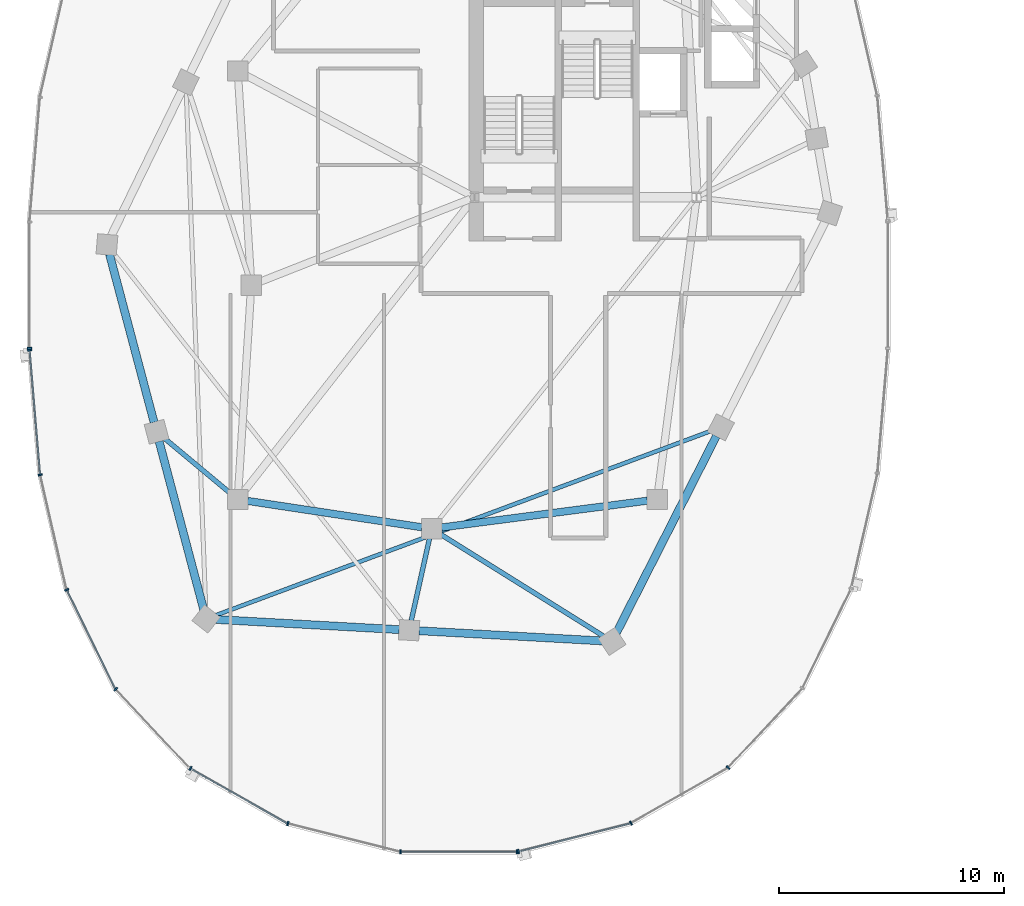
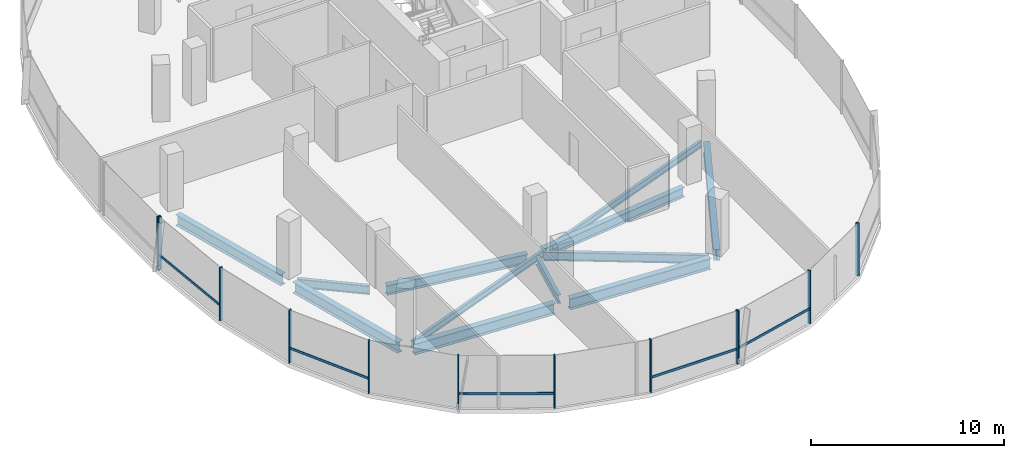
# One storey, part 3 of 25: 17 members, 11 beams, 3 elements without a shape of their own.
"""IFC4 building model written with IfcOpenShell, lengths in metres."""

from ifc_helpers import new_model, si_unit, direction, frame, origin, origin_2d, place, context, subcontext, project, spatial, rectangle, i_section, extrude, material, material_profile, profile_set, type_object, element, aggregate, save


model = new_model("IFC4")

# Units and contexts
model_context = context("Model", 3, precision=1e-05, world=origin(), true_north=direction((0.0, 1.0)))
body_context = subcontext(model_context, "Body", "Model", "MODEL_VIEW")
ifc_project = project(units=[si_unit("LENGTHUNIT", "METRE"), si_unit("AREAUNIT", "SQUARE_METRE"), si_unit("VOLUMEUNIT", "CUBIC_METRE"), si_unit("PLANEANGLEUNIT", "RADIAN"), si_unit("MASSUNIT", "GRAM", prefix="KILO"), si_unit("THERMODYNAMICTEMPERATUREUNIT", "KELVIN"), si_unit("POWERUNIT", "WATT")], contexts=[model_context])

# Site, building, storey
site_placement = place(None, origin())
site = spatial("IfcSite", under=ifc_project, at=site_placement, CompositionType="ELEMENT")
building_placement = place(site_placement, origin())
building = spatial("IfcBuilding", under=site, at=building_placement, Name="Cundina Bronze Exchange", CompositionType="ELEMENT")
storey_placement = place(building_placement, frame((0.0, 0.0, 195.39990234375)))
storey = spatial("IfcBuildingStorey", under=building, at=storey_placement, Name="L51", CompositionType="ELEMENT", Elevation=195.39990234375)

# Beams
ifc_material_1 = material(Name="Steel ASTM A992 Grade 50", Category="steel")
ifc_material_profile_1 = material_profile(ifc_material_1, i_section(OverallWidth=0.2119140625, OverallDepth=0.5439453125, WebThickness=0.01318359375, FlangeThickness=0.021240234375, FilletRadius=0.013916015625, at=origin_2d()), Name="W21X83", Category="steel")
ifc_profile_set_1 = profile_set([ifc_material_profile_1], Name="Steel ASTM A992 Grade 50")
beam_type_1 = type_object("IfcBeamType", Name="BM-FLR-W21A", PredefinedType="BEAM", material=ifc_profile_set_1)
beam_1_placement = place(storey_placement, frame((-42.136474609375, -9.219482421875, -0.531982421875), z_axis=(-0.768247540987, 0.640152884683, 0.0), x_axis=(-0.640152884683, -0.768247540987, 0.0)))
element("IfcBeam", 1, at=beam_1_placement, inside=storey, type_object=beam_type_1, Name="L51 Leg W Radial Floor Beam 09", PredefinedType="BEAM", context=body_context, shape_type="SweptSolid", body=[
    extrude(i_section(OverallWidth=0.2119140625, OverallDepth=0.5439453125, WebThickness=0.01318359375, FlangeThickness=0.021240234375, FilletRadius=0.013916015625, at=origin_2d()), origin(), (0.0, 0.0, 1.0), 3.81005859375),
])
beam_2_placement = place(storey_placement, frame((-33.294921875, -11.2275390625, -0.531982421875), z_axis=(-0.216958151571, -0.976180905605, 0.0), x_axis=(0.976180905605, -0.216958151571, 0.0)))
element("IfcBeam", 2, at=beam_2_placement, inside=storey, type_object=beam_type_1, Name="L51 Leg W Radial Floor Beam 11", PredefinedType="BEAM", context=body_context, shape_type="SweptSolid", body=[
    extrude(i_section(OverallWidth=0.2119140625, OverallDepth=0.5439453125, WebThickness=0.01318359375, FlangeThickness=0.021240234375, FilletRadius=0.013916015625, at=origin_2d()), origin(), (0.0, 0.0, 1.0), 3.733642578125),
])
beam_3_placement = place(storey_placement, frame((-32.82861328125, -11.031982421875, -0.531982421875), z_axis=(0.847995098703, -0.530004068452, 0.0), x_axis=(0.530004068452, 0.847995098703, 0.0)))
element("IfcBeam", 3, at=beam_3_placement, inside=storey, type_object=beam_type_1, Name="L51 Leg W Radial Floor Beam 12", PredefinedType="BEAM", context=body_context, shape_type="SweptSolid", body=[
    extrude(i_section(OverallWidth=0.2119140625, OverallDepth=0.5439453125, WebThickness=0.01318359375, FlangeThickness=0.021240234375, FilletRadius=0.013916015625, at=origin_2d()), origin(), (0.0, 0.0, 1.0), 8.55810546875),
])
ifc_material_profile_2 = material_profile(ifc_material_1, i_section(OverallWidth=0.178955078125, OverallDepth=0.409912109375, WebThickness=0.0087890625, FlangeThickness=0.014404296875, FilletRadius=0.010986328125, at=origin_2d()), Name="W16X45", Category="steel")
ifc_profile_set_2 = profile_set([ifc_material_profile_2], Name="Steel ASTM A992 Grade 50")
beam_type_2 = type_object("IfcBeamType", Name="BM-JST-W16", PredefinedType="JOIST", material=ifc_profile_set_2)
beam_4_placement = place(storey_placement, frame((-42.78955078125, -14.647216796875, -0.46484375), z_axis=(0.937127927239, 0.348986028358, 0.0), x_axis=(-0.348986028358, 0.937127927239, 0.0)))
element("IfcBeam", 4, at=beam_4_placement, inside=storey, type_object=beam_type_2, Name="L51 Leg W Lobe Floor Joist 10-13", PredefinedType="JOIST", context=body_context, shape_type="SweptSolid", body=[
    extrude(i_section(OverallWidth=0.178955078125, OverallDepth=0.409912109375, WebThickness=0.0087890625, FlangeThickness=0.014404296875, FilletRadius=0.010986328125, at=origin_2d()), origin(), (0.0, 0.0, 1.0), 23.48046875),
])
ifc_material_profile_3 = material_profile(ifc_material_1, i_section(OverallWidth=0.324951171875, OverallDepth=0.615966796875, WebThickness=0.013916015625, FlangeThickness=0.021484375, FilletRadius=0.01611328125, at=origin_2d()), Name="W24X117", Category="steel")
ifc_profile_set_3 = profile_set([ifc_material_profile_3], Name="Steel ASTM A992 Grade 50")
beam_type_3 = type_object("IfcBeamType", Name="BM-RING-W24", PredefinedType="USERDEFINED", material=ifc_profile_set_3)
beam_5_placement = place(storey_placement, frame((-41.366943359375, -9.5654296875, -0.56787109375), z_axis=(0.988764903598, -0.149478979839, 0.0), x_axis=(0.149478979839, 0.988764903598, 0.0)))
element("IfcBeam", 5, at=beam_5_placement, inside=storey, type_object=beam_type_3, Name="L51 W Inner Structural Ring Girder 05", ObjectType="GIRDER", PredefinedType="USERDEFINED", context=body_context, shape_type="SweptSolid", body=[
    extrude(i_section(OverallWidth=0.324951171875, OverallDepth=0.615966796875, WebThickness=0.013916015625, FlangeThickness=0.021484375, FilletRadius=0.01611328125, at=origin_2d()), origin(), (0.0, 0.0, 1.0), 7.82177734375),
])
beam_6_placement = place(storey_placement, frame((-32.765625, -10.743408203125, -0.56787109375), z_axis=(0.991656498582, 0.128908451316, 0.0), x_axis=(-0.128908451316, 0.991656498582, 0.0)))
element("IfcBeam", 6, at=beam_6_placement, inside=storey, type_object=beam_type_3, Name="L51 W Inner Structural Ring Girder 06", ObjectType="GIRDER", PredefinedType="USERDEFINED", context=body_context, shape_type="SweptSolid", body=[
    extrude(i_section(OverallWidth=0.324951171875, OverallDepth=0.615966796875, WebThickness=0.013916015625, FlangeThickness=0.021484375, FilletRadius=0.01611328125, at=origin_2d()), origin(), (0.0, 0.0, 1.0), 9.208251953125),
])
ifc_material_profile_4 = material_profile(ifc_material_1, i_section(OverallWidth=0.35498046875, OverallDepth=0.695068359375, WebThickness=0.015380859375, FlangeThickness=0.02490234375, FilletRadius=0.01806640625, at=origin_2d()), Name="W27X146", Category="steel")
ifc_profile_set_4 = profile_set([ifc_material_profile_4], Name="Steel ASTM A992 Grade 50")
beam_type_4 = type_object("IfcBeamType", Name="BM-RING-W27", PredefinedType="USERDEFINED", material=ifc_profile_set_4)
for number, where, z_axis, x_axis, name in (
    (7, (-47.48779296875, 1.376708984375, -0.607421875), (0.256211934474, -0.966620631185, 0.0), (0.966620631185, 0.256211934474, 0.0), "L51 W Perimeter Ring Girder 08"),
    (8, (-45.287841796875, -6.92333984375, -0.607421875), (0.256211934474, -0.966620631185, 0.0), (0.966620631185, 0.256211934474, 0.0), "L51 W Perimeter Ring Girder 09"),
):
    element("IfcBeam", number, at=place(storey_placement, frame(where, z_axis=z_axis, x_axis=x_axis)), inside=storey, type_object=beam_type_4, Name=name, ObjectType="GIRDER", PredefinedType="USERDEFINED", context=body_context, shape_type="SweptSolid", body=[
        extrude(i_section(OverallWidth=0.35498046875, OverallDepth=0.695068359375, WebThickness=0.015380859375, FlangeThickness=0.02490234375, FilletRadius=0.01806640625, at=origin_2d()), origin(), (0.0, 0.0, 1.0), 7.710693359375),
    ])
for number, where, z_axis, x_axis, name in (
    (9, (-42.7626953125, -14.82421875, -0.607421875), (0.998460353205, -0.055470019623, 0.0), (0.055470019623, 0.998460353205, 0.0), "L51 W Perimeter Ring Girder 10"),
    (10, (-33.7626953125, -15.32421875, -0.607421875), (0.998460353205, -0.055470019623, 0.0), (0.055470019623, 0.998460353205, 0.0), "L51 W Perimeter Ring Girder 11"),
):
    element("IfcBeam", number, at=place(storey_placement, frame(where, z_axis=z_axis, x_axis=x_axis)), inside=storey, type_object=beam_type_4, Name=name, ObjectType="GIRDER", PredefinedType="USERDEFINED", context=body_context, shape_type="SweptSolid", body=[
        extrude(i_section(OverallWidth=0.35498046875, OverallDepth=0.695068359375, WebThickness=0.015380859375, FlangeThickness=0.02490234375, FilletRadius=0.01806640625, at=origin_2d()), origin(), (0.0, 0.0, 1.0), 8.137939453125),
    ])
beam_7_placement = place(storey_placement, frame((-25.001708984375, -15.409423828125, -0.607421875), z_axis=(0.452846871434, 0.891588308039, 0.0), x_axis=(-0.891588308039, 0.452846871434, 0.0)))
element("IfcBeam", 11, at=beam_7_placement, inside=storey, type_object=beam_type_4, Name="L51 W Perimeter Ring Girder 12", ObjectType="GIRDER", PredefinedType="USERDEFINED", context=body_context, shape_type="SweptSolid", body=[
    extrude(i_section(OverallWidth=0.35498046875, OverallDepth=0.695068359375, WebThickness=0.015380859375, FlangeThickness=0.02490234375, FilletRadius=0.01806640625, at=origin_2d()), origin(), (0.0, 0.0, 1.0), 9.779052734375),
])

# Curtain wall, member
ifc_material_2 = material(Name="Anodised Bronze Aluminium 6063-T6", Category="aluminium")
curtain_wall_type = type_object("IfcCurtainWallType", Name="CWS-UPP-OFF", PredefinedType="NOTDEFINED", material=ifc_material_2)
curtain_wall_1_placement = place(storey_placement, origin())
curtain_wall_1 = element("IfcCurtainWall", 12, at=curtain_wall_1_placement, inside=storey, type_object=curtain_wall_type, Name="L51 CW-05 Curtain Wall Run CWR-L51-W2", PredefinedType="NOTDEFINED")
ifc_material_profile_5 = material_profile(ifc_material_2, rectangle(XDim=0.070068359375, YDim=0.18994140625, at=origin_2d()), Name="AL70X190", Category="aluminium")
ifc_profile_set_5 = profile_set([ifc_material_profile_5], Name="Anodised Bronze Aluminium 6063-T6")
member_type_1 = type_object("IfcMemberType", Name="CWM-MUL-190", PredefinedType="MULLION", material=ifc_profile_set_5)
member_1_placement = place(storey_placement, frame((-51.033935546875, -2.794921875, 0.0), z_axis=(0.0, 0.0, 1.0), x_axis=(0.0, -1.0, 0.0)))
member_1 = element("IfcMember", 13, at=member_1_placement, type_object=member_type_1, Name="CW-05 End Mullion", PredefinedType="MULLION", context=body_context, shape_type="SweptSolid", body=[
    extrude(rectangle(XDim=0.070068359375, YDim=0.18994140625, at=origin_2d()), origin(), (0.0, 0.0, 1.0), 3.340087890625),
])
aggregate(curtain_wall_1, [member_1])

# Curtain wall, members
curtain_wall_2_placement = place(storey_placement, origin())
curtain_wall_2 = element("IfcCurtainWall", 14, at=curtain_wall_2_placement, inside=storey, type_object=curtain_wall_type, Name="L51 CW-05 Curtain Wall Run CWR-L51-W3", PredefinedType="NOTDEFINED")
member_2_placement = place(storey_placement, frame((-51.0302734375, -2.88330078125, 0.0), z_axis=(0.0, 0.0, 1.0), x_axis=(0.083677843332, -0.99649285925, 0.0)))
member_2 = element("IfcMember", 15, at=member_2_placement, type_object=member_type_1, Name="CW-05 Mullion 1", PredefinedType="MULLION", context=body_context, shape_type="SweptSolid", body=[
    extrude(rectangle(XDim=0.070068359375, YDim=0.18994140625, at=origin_2d()), origin(), (0.0, 0.0, 1.0), 3.340087890625),
])
member_3_placement = place(storey_placement, frame((-50.56005859375, -8.4111328125, 0.0), z_axis=(0.0, 0.0, 1.0), x_axis=(0.223250116011, -0.974761194191, 0.0)))
member_3 = element("IfcMember", 16, at=member_3_placement, type_object=member_type_1, Name="CW-05 Mullion 2", PredefinedType="MULLION", context=body_context, shape_type="SweptSolid", body=[
    extrude(rectangle(XDim=0.070068359375, YDim=0.18994140625, at=origin_2d()), origin(), (0.0, 0.0, 1.0), 3.340087890625),
])
member_4_placement = place(storey_placement, frame((-49.38427734375, -13.50732421875, 0.0), z_axis=(0.0, 0.0, 1.0), x_axis=(0.440566004113, -0.897720221461, 0.0)))
member_4 = element("IfcMember", 17, at=member_4_placement, type_object=member_type_1, Name="CW-05 Mullion 3", PredefinedType="MULLION", context=body_context, shape_type="SweptSolid", body=[
    extrude(rectangle(XDim=0.070068359375, YDim=0.18994140625, at=origin_2d()), origin(), (0.0, 0.0, 1.0), 3.340087890625),
])
member_5_placement = place(storey_placement, frame((-47.209716796875, -17.91796875, 0.0), z_axis=(0.0, 0.0, 1.0), x_axis=(0.684292606175, -0.729207535023, 0.0)))
member_5 = element("IfcMember", 18, at=member_5_placement, type_object=member_type_1, Name="CW-05 Mullion 4", PredefinedType="MULLION", context=body_context, shape_type="SweptSolid", body=[
    extrude(rectangle(XDim=0.070068359375, YDim=0.18994140625, at=origin_2d()), origin(), (0.0, 0.0, 1.0), 3.340087890625),
])
member_6_placement = place(storey_placement, frame((-43.899658203125, -21.43115234375, 0.0), z_axis=(0.0, 0.0, 1.0), x_axis=(0.86958112538, -0.493790103568, 0.0)))
member_6 = element("IfcMember", 19, at=member_6_placement, type_object=member_type_1, Name="CW-05 Mullion 5", PredefinedType="MULLION", context=body_context, shape_type="SweptSolid", body=[
    extrude(rectangle(XDim=0.070068359375, YDim=0.18994140625, at=origin_2d()), origin(), (0.0, 0.0, 1.0), 3.340087890625),
])
member_7_placement = place(storey_placement, frame((-39.577392578125, -23.87548828125, 0.0), z_axis=(0.0, 0.0, 1.0), x_axis=(0.969744325821, -0.244122802168, 0.0)))
member_7 = element("IfcMember", 20, at=member_7_placement, type_object=member_type_1, Name="CW-05 Mullion 6", PredefinedType="MULLION", context=body_context, shape_type="SweptSolid", body=[
    extrude(rectangle(XDim=0.070068359375, YDim=0.18994140625, at=origin_2d()), origin(), (0.0, 0.0, 1.0), 3.340087890625),
])
member_8_placement = place(storey_placement, frame((-34.580078125, -25.125, 0.0), z_axis=(0.0, 0.0, 1.0), x_axis=(1.0, 0.0, 0.0)))
member_8 = element("IfcMember", 21, at=member_8_placement, type_object=member_type_1, Name="CW-05 Mullion 7", PredefinedType="MULLION", context=body_context, shape_type="SweptSolid", body=[
    extrude(rectangle(XDim=0.070068359375, YDim=0.18994140625, at=origin_2d()), origin(), (0.0, 0.0, 1.0), 3.340087890625),
])
member_9_placement = place(storey_placement, frame((-29.419921875, -25.125, 0.0), z_axis=(0.0, 0.0, 1.0), x_axis=(1.0, 0.0, 0.0)))
member_9 = element("IfcMember", 22, at=member_9_placement, type_object=member_type_1, Name="CW-05 End Mullion", PredefinedType="MULLION", context=body_context, shape_type="SweptSolid", body=[
    extrude(rectangle(XDim=0.070068359375, YDim=0.18994140625, at=origin_2d()), origin(), (0.0, 0.0, 1.0), 3.340087890625),
])

curtain_wall_3_placement = place(storey_placement, origin())
curtain_wall_3 = element("IfcCurtainWall", 23, at=curtain_wall_3_placement, inside=storey, type_object=curtain_wall_type, Name="L51 CW-05 Curtain Wall Run CWR-L51-W4", PredefinedType="NOTDEFINED")
member_10_placement = place(storey_placement, frame((-29.3515625, -25.116455078125, 0.0), z_axis=(0.0, 0.0, 1.0), x_axis=(0.969744325821, 0.244122802168, 0.0)))
member_10 = element("IfcMember", 24, at=member_10_placement, type_object=member_type_1, Name="CW-05 Mullion 1", PredefinedType="MULLION", context=body_context, shape_type="SweptSolid", body=[
    extrude(rectangle(XDim=0.070068359375, YDim=0.18994140625, at=origin_2d()), origin(), (0.0, 0.0, 1.0), 3.340087890625),
])
member_11_placement = place(storey_placement, frame((-24.361083984375, -23.850830078125, 0.0), z_axis=(0.0, 0.0, 1.0), x_axis=(0.86958112538, 0.493790103568, 0.0)))
member_11 = element("IfcMember", 25, at=member_11_placement, type_object=member_type_1, Name="CW-05 Mullion 2", PredefinedType="MULLION", context=body_context, shape_type="SweptSolid", body=[
    extrude(rectangle(XDim=0.070068359375, YDim=0.18994140625, at=origin_2d()), origin(), (0.0, 0.0, 1.0), 3.340087890625),
])
member_12_placement = place(storey_placement, frame((-20.05126953125, -21.392578125, 0.0), z_axis=(0.0, 0.0, 1.0), x_axis=(0.684292606175, 0.729207535023, 0.0)))
member_12 = element("IfcMember", 26, at=member_12_placement, type_object=member_type_1, Name="CW-05 Mullion 3", PredefinedType="MULLION", context=body_context, shape_type="SweptSolid", body=[
    extrude(rectangle(XDim=0.070068359375, YDim=0.18994140625, at=origin_2d()), origin(), (0.0, 0.0, 1.0), 3.340087890625),
])

# Member
ifc_material_profile_6 = material_profile(ifc_material_2, rectangle(XDim=0.06494140625, YDim=0.14990234375, at=origin_2d()), Name="AL65X150", Category="aluminium")
ifc_profile_set_6 = profile_set([ifc_material_profile_6], Name="Anodised Bronze Aluminium 6063-T6")
member_type_2 = type_object("IfcMemberType", Name="CWM-TRN-150", PredefinedType="USERDEFINED", material=ifc_profile_set_6)
member_13_placement = place(storey_placement, frame((-51.027099609375, -2.921630859375, 0.920166015625), z_axis=(0.083740331158, -0.996487610027, 0.0), x_axis=(0.996487610027, 0.083740331158, 0.0)))
member_13 = element("IfcMember", 27, at=member_13_placement, type_object=member_type_2, Name="CW-05 Spandrel Transom 1", ObjectType="TRANSOM", PredefinedType="USERDEFINED", context=body_context, shape_type="SweptSolid", body=[
    extrude(rectangle(XDim=0.06494140625, YDim=0.14990234375, at=origin_2d()), origin(), (0.0, 0.0, 1.0), 5.466552734375),
])

member_14_placement = place(storey_placement, frame((-49.3671875, -13.5419921875, 0.920166015625), z_axis=(0.440483110889, -0.897760897467, 0.0), x_axis=(0.897760897467, 0.440483110889, 0.0)))
member_14 = element("IfcMember", 28, at=member_14_placement, type_object=member_type_2, Name="CW-05 Spandrel Transom 3", ObjectType="TRANSOM", PredefinedType="USERDEFINED", context=body_context, shape_type="SweptSolid", body=[
    extrude(rectangle(XDim=0.06494140625, YDim=0.14990234375, at=origin_2d()), origin(), (0.0, 0.0, 1.0), 4.855224609375),
])

member_15_placement = place(storey_placement, frame((-43.8662109375, -21.4501953125, 0.920166015625), z_axis=(0.869573748083, -0.493803095013, 0.0), x_axis=(0.493803095013, 0.869573748083, 0.0)))
member_15 = element("IfcMember", 29, at=member_15_placement, type_object=member_type_2, Name="CW-05 Spandrel Transom 5", ObjectType="TRANSOM", PredefinedType="USERDEFINED", context=body_context, shape_type="SweptSolid", body=[
    extrude(rectangle(XDim=0.06494140625, YDim=0.14990234375, at=origin_2d()), origin(), (0.0, 0.0, 1.0), 4.900146484375),
])

member_16_placement = place(storey_placement, frame((-34.54150390625, -25.125, 0.920166015625), z_axis=(1.0, 0.0, 0.0), x_axis=(0.0, 1.0, 0.0)))
member_16 = element("IfcMember", 30, at=member_16_placement, type_object=member_type_2, Name="CW-05 Spandrel Transom 7", ObjectType="TRANSOM", PredefinedType="USERDEFINED", context=body_context, shape_type="SweptSolid", body=[
    extrude(rectangle(XDim=0.06494140625, YDim=0.14990234375, at=origin_2d()), origin(), (0.0, 0.0, 1.0), 5.0830078125),
])

aggregate(curtain_wall_2, [member_2, member_13, member_3, member_4, member_14, member_5, member_6, member_15, member_7, member_8, member_9, member_16])

member_17_placement = place(storey_placement, frame((-29.314208984375, -25.107177734375, 0.920166015625), z_axis=(0.969725738797, 0.244196624699, 0.0), x_axis=(-0.244196624699, 0.969725738797, 0.0)))
member_17 = element("IfcMember", 31, at=member_17_placement, type_object=member_type_2, Name="CW-05 Spandrel Transom 1", ObjectType="TRANSOM", PredefinedType="USERDEFINED", context=body_context, shape_type="SweptSolid", body=[
    extrude(rectangle(XDim=0.06494140625, YDim=0.14990234375, at=origin_2d()), origin(), (0.0, 0.0, 1.0), 5.082763671875),
])

aggregate(curtain_wall_3, [member_10, member_17, member_11, member_12])

save(model, "model.ifc")
